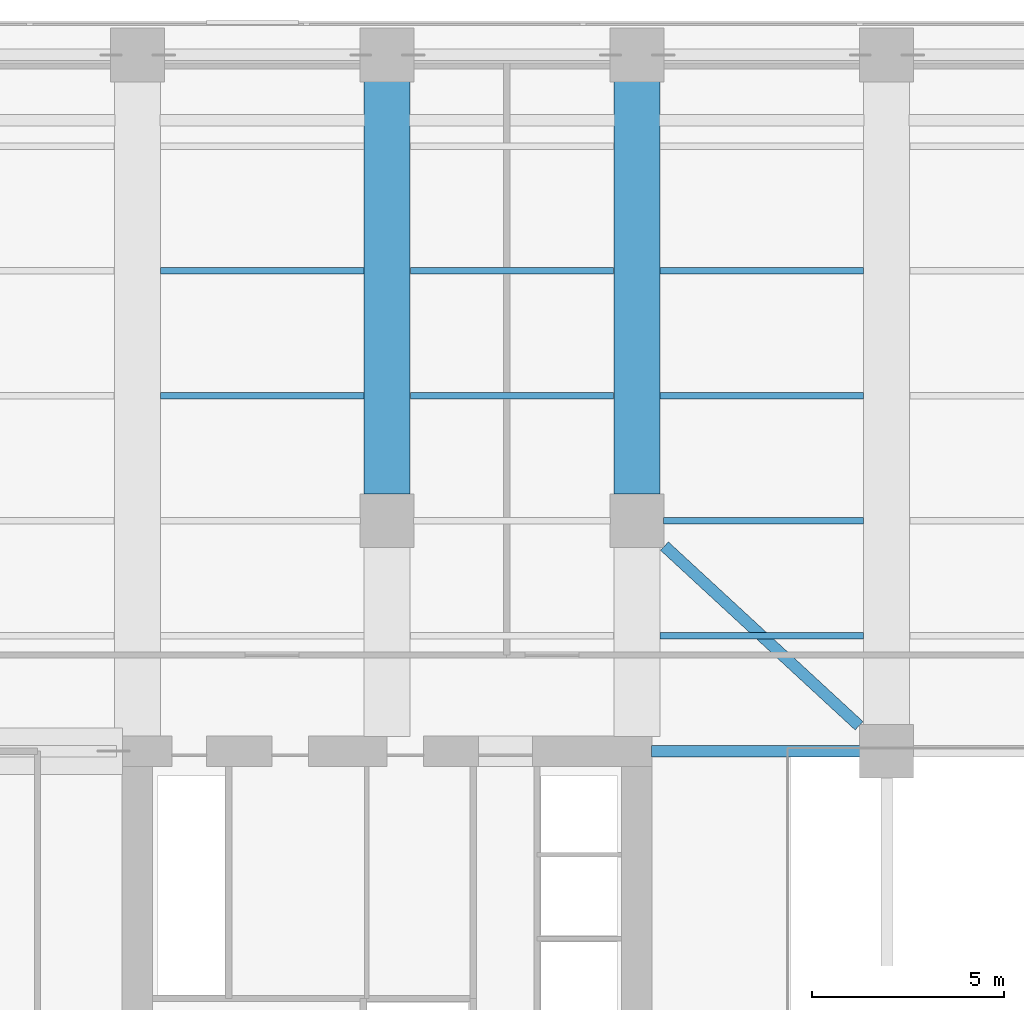
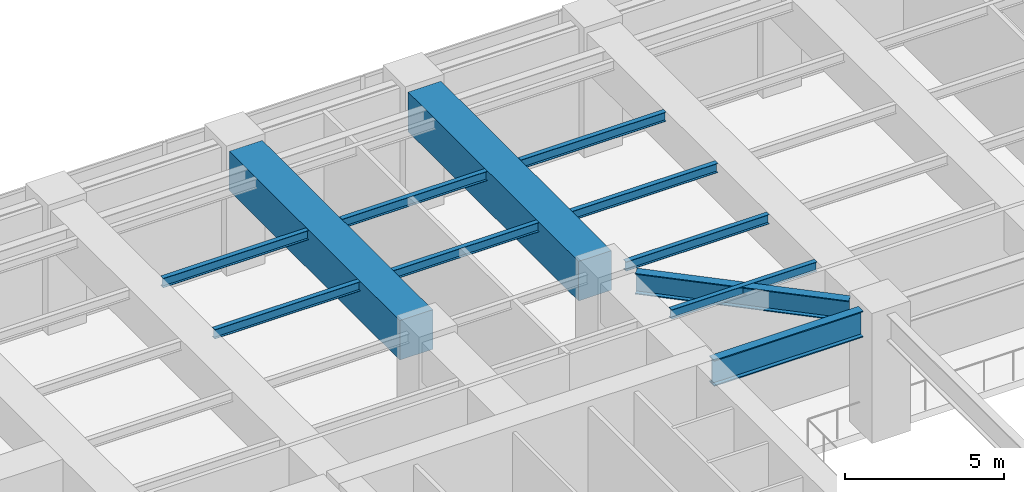
# One storey, part 9 of 31: 12 beams.
"""IFC4 building model written with IfcOpenShell, lengths in metres."""

import ifcopenshell
import ifcopenshell.guid

model = None  # the IFC model being written
_history = None  # IfcOwnerHistory: only IFC2X3 demands one
_inside = {}  # id of a spatial element -> (the spatial element, [elements in it])
_under = {}  # id of a project, library or spatial element -> (it, [spatial elements below it])
_declared = {}  # id of a project -> (the project, [libraries it declares])
_typed = {}  # id of a type object -> (the type object, [elements of that type])
_made_of = {}  # id of a material, layer set ... -> (it, [elements and type objects made of it])


def new_model(schema):
    """Start an empty IFC model of exactly this schema.

    Asked for "IFC4X3", IfcOpenShell would pick the latest addendum, in which some entities
    have other attributes; the version numbers below select the first issue.
    IFC2X3 requires an IfcOwnerHistory on every rooted entity: one is made here for all.
    """
    global model, _history
    if schema == "IFC4X3":
        model = ifcopenshell.file(schema_version=(4, 3, 0, 0))
    else:
        model = ifcopenshell.file(schema=schema)
    _inside.clear()
    _under.clear()
    _declared.clear()
    _typed.clear()
    _made_of.clear()
    _history = None
    if model.schema == "IFC2X3":
        org = make("IfcOrganization", Name="unknown")
        user = make(
            "IfcPersonAndOrganization",
            ThePerson=make("IfcPerson", FamilyName="unknown"),
            TheOrganization=org,
        )
        app = make(
            "IfcApplication",
            ApplicationDeveloper=org,
            Version="unknown",
            ApplicationFullName="unknown",
            ApplicationIdentifier="unknown",
        )
        _history = make(
            "IfcOwnerHistory",
            OwningUser=user,
            OwningApplication=app,
            ChangeAction="ADDED",
            CreationDate=0,
        )
    return model


def make(cls, **values):
    """One entity of the class cls with the attributes given. An attribute that is None is left unset."""
    return model.create_entity(
        cls, **{name: value for name, value in values.items() if value is not None}
    )


def rooted(cls, **values):
    """An entity with a GlobalId (a new one), such as an element, a storey or a relation."""
    return make(cls, GlobalId=ifcopenshell.guid.new(), OwnerHistory=_history, **values)


def si_unit(unit_type, name, prefix=None):
    """IfcSIUnit, for example si_unit("LENGTHUNIT", "METRE", prefix="MILLI")."""
    return make("IfcSIUnit", UnitType=unit_type, Prefix=prefix, Name=name)


def assignment(units):
    """IfcUnitAssignment: the units of a project."""
    return None if units is None else make("IfcUnitAssignment", Units=units)


def point(xyz):
    """IfcCartesianPoint."""
    return None if xyz is None else make("IfcCartesianPoint", Coordinates=xyz)


def direction(xyz):
    """IfcDirection."""
    return None if xyz is None else make("IfcDirection", DirectionRatios=xyz)


def frame(location, z_axis=None, x_axis=None):
    """IfcAxis2Placement3D, a coordinate frame: its origin and axes. An axis left out is left unset."""
    return make(
        "IfcAxis2Placement3D",
        Location=point(location),
        Axis=direction(z_axis),
        RefDirection=direction(x_axis),
    )


def frame_2d(location, x_axis=None):
    """IfcAxis2Placement2D, a coordinate frame in the plane: its origin and x axis."""
    return make(
        "IfcAxis2Placement2D", Location=point(location), RefDirection=direction(x_axis)
    )


def origin():
    """The frame at (0, 0, 0) with its axes left unset."""
    return frame((0.0, 0.0, 0.0))


def origin_2d():
    """The frame at (0, 0) in the plane with its x axis left unset."""
    return frame_2d((0.0, 0.0))


def place(relative_to, where):
    """IfcLocalPlacement: puts the frame where relative to a parent placement (None: the world)."""
    return make(
        "IfcLocalPlacement", PlacementRelTo=relative_to, RelativePlacement=where
    )


def context(
    kind, dimensions, precision=None, world=None, true_north=None, identifier=None
):
    """IfcGeometricRepresentationContext, for example the 3D "Model" context."""
    return make(
        "IfcGeometricRepresentationContext",
        ContextIdentifier=identifier,
        ContextType=kind,
        CoordinateSpaceDimension=dimensions,
        Precision=precision,
        WorldCoordinateSystem=world,
        TrueNorth=true_north,
    )


def subcontext(parent, identifier, kind, view, scale=None):
    """IfcGeometricRepresentationSubContext, for example "Body" below "Model"."""
    return make(
        "IfcGeometricRepresentationSubContext",
        ContextIdentifier=identifier,
        ContextType=kind,
        ParentContext=parent,
        TargetScale=scale,
        TargetView=view,
    )


def project(units=None, contexts=None):
    """IfcProject with its units and contexts."""
    return rooted(
        "IfcProject",
        Name="project",
        RepresentationContexts=contexts,
        UnitsInContext=assignment(units),
    )


def spatial(cls, under=None, at=None, **own):
    """A site, building, storey or space (cls), placed at a placement, below another one or the project."""
    s = rooted(cls, ObjectPlacement=at, **own)
    if under is not None:
        _under.setdefault(under.id(), (under, []))[1].append(s)
    return s


def profile(cls, at=None, kind="AREA", **sizes):
    """A parametric profile (cls). Its sizes go by their IFC names, for example OverallWidth=200.0."""
    return make(cls, ProfileType=kind, Position=at, **sizes)


def rectangle(**sizes):
    """IfcRectangleProfileDef."""
    return profile("IfcRectangleProfileDef", **sizes)


def i_section(**sizes):
    """IfcIShapeProfileDef."""
    return profile("IfcIShapeProfileDef", **sizes)


def extrude(swept, where, along, depth):
    """IfcExtrudedAreaSolid: the profile swept, set in the frame where, extruded along a direction by depth."""
    return make(
        "IfcExtrudedAreaSolid",
        SweptArea=swept,
        Position=where,
        ExtrudedDirection=direction(along),
        Depth=depth,
    )


def shape(context_of_items, identifier, shape_type, items):
    """IfcShapeRepresentation: the items that make up one representation, for example the "Body"."""
    return make(
        "IfcShapeRepresentation",
        ContextOfItems=context_of_items,
        RepresentationIdentifier=identifier,
        RepresentationType=shape_type,
        Items=items,
    )


def material(Name=None, Category=None):
    """IfcMaterial."""
    return make("IfcMaterial", Name=Name, Category=Category)


def material_profile(
    of_material, cross_section, Name=None, Category=None, Priority=None
):
    """IfcMaterialProfile: a cross section and its material."""
    return make(
        "IfcMaterialProfile",
        Name=Name,
        Material=of_material,
        Profile=cross_section,
        Priority=Priority,
        Category=Category,
    )


def profile_set(profiles, Name=None, composite=None):
    """IfcMaterialProfileSet."""
    return make(
        "IfcMaterialProfileSet",
        Name=Name,
        MaterialProfiles=profiles,
        CompositeProfile=composite,
    )


def made_of(thing, what):
    """Note that an element or type object is made of a material, layer set ...; save() writes the relation."""
    if what is not None:
        _made_of.setdefault(what.id(), (what, []))[1].append(thing)
    return thing


def type_object(cls, material=None, **own):
    """A type object (cls), such as IfcWallType, which elements share."""
    return made_of(rooted(cls, **own), material)


def element(
    cls,
    number,
    at=None,
    inside=None,
    cuts=None,
    type_object=None,
    material=None,
    context=None,
    identifier="Body",
    shape_type=None,
    held_by="IfcProductDefinitionShape",
    body=None,
    shapes=None,
    **own,
):
    """One element of the class cls, such as IfcWall. Its Tag is "e" and its number.

    at: its placement. inside: the storey or other place that contains it. cuts: it is an
    opening in that element (IfcRelVoidsElement). A single representation is given by context,
    identifier, shape_type and body (its items); several are given by shapes. held_by: the class
    of the entity that holds the representations. save() writes the other relations.
    """
    e = rooted(cls, Tag="e%d" % number, ObjectPlacement=at, **own)
    if body is not None:
        shapes = [shape(context, identifier, shape_type, body)]
    if shapes is not None:
        e.Representation = make(held_by, Representations=shapes)
    if inside is not None:
        _inside.setdefault(inside.id(), (inside, []))[1].append(e)
    if cuts is not None:
        rooted(
            "IfcRelVoidsElement", RelatingBuildingElement=cuts, RelatedOpeningElement=e
        )
    if type_object is not None:
        _typed.setdefault(type_object.id(), (type_object, []))[1].append(e)
    return made_of(e, material)


def aggregate(whole, parts):
    """IfcRelAggregates: a whole, such as a stair, and the parts it consists of."""
    return rooted("IfcRelAggregates", RelatingObject=whole, RelatedObjects=parts)


def save(model, path):
    """Write the relations noted so far, then the file.

    IfcRelAggregates (storeys below a building ...), IfcRelContainedInSpatialStructure (elements
    in a storey), IfcRelDefinesByType, IfcRelAssociatesMaterial and IfcRelDeclares: one each for
    every whole, place, type object, material and project.
    """
    for whole, parts in _under.values():
        aggregate(whole, parts)
    for where, things in _inside.values():
        rooted(
            "IfcRelContainedInSpatialStructure",
            RelatedElements=things,
            RelatingStructure=where,
        )
    for kind, things in _typed.values():
        rooted("IfcRelDefinesByType", RelatedObjects=things, RelatingType=kind)
    for what, things in _made_of.values():
        rooted("IfcRelAssociatesMaterial", RelatedObjects=things, RelatingMaterial=what)
    for by, libraries in _declared.values():
        rooted("IfcRelDeclares", RelatingContext=by, RelatedDefinitions=libraries)
    model.write(path)


model = new_model("IFC4")

# Units and contexts
model_context = context("Model", 3, precision=1e-05, world=origin(), true_north=direction((0.0, 1.0)))
body_context = subcontext(model_context, "Body", "Model", "MODEL_VIEW")
ifc_project = project(units=[si_unit("LENGTHUNIT", "METRE"), si_unit("AREAUNIT", "SQUARE_METRE"), si_unit("VOLUMEUNIT", "CUBIC_METRE"), si_unit("PLANEANGLEUNIT", "RADIAN"), si_unit("MASSUNIT", "GRAM", prefix="KILO")], contexts=[model_context])

# Site, building, storey
site_placement = place(None, origin())
site = spatial("IfcSite", under=ifc_project, at=site_placement, CompositionType="ELEMENT")
building_placement = place(site_placement, origin())
building = spatial("IfcBuilding", under=site, at=building_placement, Name="Putna Gate Headquarters", CompositionType="ELEMENT")
storey_placement = place(building_placement, frame((0.0, 0.0, 81.0)))
storey = spatial("IfcBuildingStorey", under=building, at=storey_placement, Name="L19", CompositionType="ELEMENT", Elevation=81.0)

# Beams
ifc_material_1 = material(Name="Steel S355J2", Category="steel")
ifc_material_profile_1 = material_profile(ifc_material_1, i_section(OverallWidth=0.300048828125, OverallDepth=0.800048828125, WebThickness=0.017578125, FlangeThickness=0.032958984375, at=origin_2d()), Name="Steel S355J2")
ifc_profile_set_1 = profile_set([ifc_material_profile_1], Name="Steel S355J2")
beam_type_1 = type_object("IfcBeamType", Name="BM-GIRD-P-HEB800", PredefinedType="USERDEFINED", material=ifc_profile_set_1)
beam_1_placement = place(storey_placement, frame((26.718017578125, 38.337158203125, 4.364990234375), z_axis=(0.734811593747, -0.678271274414, 0.0), x_axis=(0.678271274414, 0.734811593747, 0.0)))
element("IfcBeam", 1, at=beam_1_placement, inside=storey, type_object=beam_type_1, Name="L19 Core Flank Collector Tie Girder NW", ObjectType="GIRDER", PredefinedType="USERDEFINED", context=body_context, shape_type="SweptSolid", body=[
    extrude(i_section(OverallWidth=0.300048828125, OverallDepth=0.800048828125, WebThickness=0.017578125, FlangeThickness=0.032958984375, at=origin_2d()), origin(), (0.0, 0.0, 1.0), 6.8916015625),
])
ifc_material_profile_2 = material_profile(ifc_material_1, i_section(OverallWidth=0.169921875, OverallDepth=0.360107421875, WebThickness=0.008056640625, FlangeThickness=0.0126953125, at=origin_2d()), Name="Steel S355J2")
ifc_profile_set_2 = profile_set([ifc_material_profile_2], Name="Steel S355J2")
beam_type_2 = type_object("IfcBeamType", Name="BM-SEC-Z2-IPE360", PredefinedType="BEAM", material=ifc_profile_set_2)
for number, where, z_axis, x_axis, name in (
    (2, (13.60400390625, 42.25, 4.5849609375), (1.0, 0.0, 0.0), (0.0, 1.0, 0.0), "L19 North Secondary Beam 2"),
    (3, (13.60400390625, 45.5, 4.5849609375), (1.0, 0.0, 0.0), (0.0, 1.0, 0.0), "L19 North Secondary Beam 2"),
    (4, (20.10400390625, 42.25, 4.5849609375), (1.0, 0.0, 0.0), (0.0, 1.0, 0.0), "L19 North Secondary Beam 3"),
    (5, (20.10400390625, 45.5, 4.5849609375), (1.0, 0.0, 0.0), (0.0, 1.0, 0.0), "L19 North Secondary Beam 3"),
    (6, (26.60400390625, 36.0, 4.5849609375), (1.0, 0.0, 0.0), (0.0, 1.0, 0.0), "L19 North Secondary Beam 4"),
):
    element("IfcBeam", number, at=place(storey_placement, frame(where, z_axis=z_axis, x_axis=x_axis)), inside=storey, type_object=beam_type_2, Name=name, PredefinedType="BEAM", context=body_context, shape_type="SweptSolid", body=[
        extrude(i_section(OverallWidth=0.169921875, OverallDepth=0.360107421875, WebThickness=0.008056640625, FlangeThickness=0.0126953125, at=origin_2d()), origin(), (0.0, 0.0, 1.0), 5.2919921875),
    ])
beam_2_placement = place(storey_placement, frame((26.68798828125, 39.0, 4.5849609375), z_axis=(1.0, 0.0, 0.0), x_axis=(0.0, 1.0, 0.0)))
element("IfcBeam", 7, at=beam_2_placement, inside=storey, type_object=beam_type_2, Name="L19 North Secondary Beam 4", PredefinedType="BEAM", context=body_context, shape_type="SweptSolid", body=[
    extrude(i_section(OverallWidth=0.169921875, OverallDepth=0.360107421875, WebThickness=0.008056640625, FlangeThickness=0.0126953125, at=origin_2d()), origin(), (0.0, 0.0, 1.0), 5.2080078125),
])
for number, where, z_axis, x_axis, name in (
    (8, (26.60400390625, 42.25, 4.5849609375), (1.0, 0.0, 0.0), (0.0, 1.0, 0.0), "L19 North Secondary Beam 4"),
    (9, (26.60400390625, 45.5, 4.5849609375), (1.0, 0.0, 0.0), (0.0, 1.0, 0.0), "L19 North Secondary Beam 4"),
):
    element("IfcBeam", number, at=place(storey_placement, frame(where, z_axis=z_axis, x_axis=x_axis)), inside=storey, type_object=beam_type_2, Name=name, PredefinedType="BEAM", context=body_context, shape_type="SweptSolid", body=[
        extrude(i_section(OverallWidth=0.169921875, OverallDepth=0.360107421875, WebThickness=0.008056640625, FlangeThickness=0.0126953125, at=origin_2d()), origin(), (0.0, 0.0, 1.0), 5.2919921875),
    ])
ifc_material_2 = material(Name="Steel S460M", Category="steel")
ifc_material_profile_3 = material_profile(ifc_material_2, i_section(OverallWidth=0.302001953125, OverallDepth=1.008056640625, WebThickness=0.02099609375, FlangeThickness=0.0400390625, at=origin_2d()), Name="Steel S460M")
ifc_profile_set_3 = profile_set([ifc_material_profile_3], Name="Steel S460M")
beam_type_3 = type_object("IfcBeamType", Name="BM-TG-HEM1000", PredefinedType="USERDEFINED", material=ifc_profile_set_3)
beam_3_placement = place(storey_placement, frame((26.385009765625, 33.0, 4.260986328125), z_axis=(1.0, 0.0, 0.0), x_axis=(0.0, 1.0, 0.0)))
element("IfcBeam", 10, at=beam_3_placement, inside=storey, type_object=beam_type_3, Name="L19 Atrium Edge Beam AN1", ObjectType="GIRDER", PredefinedType="USERDEFINED", context=body_context, shape_type="SweptSolid", body=[
    extrude(i_section(OverallWidth=0.302001953125, OverallDepth=1.008056640625, WebThickness=0.02099609375, FlangeThickness=0.0400390625, at=origin_2d()), origin(), (0.0, 0.0, 1.0), 5.427001953125),
])
ifc_material_3 = material(Name="Concrete C50/60", Category="concrete")
ifc_material_profile_4 = material_profile(ifc_material_3, rectangle(XDim=1.199951171875, YDim=1.52001953125, at=origin_2d()), Name="Concrete C50/60")
ifc_profile_set_4 = profile_set([ifc_material_profile_4], Name="Concrete C50/60")
beam_type_4 = type_object("IfcBeamType", Name="BM-TG-RC1520", PredefinedType="USERDEFINED", material=ifc_profile_set_4)
for number, where, z_axis, x_axis, name in (
    (11, (19.5, 39.68798828125, 4.0048828125), (0.0, 1.0, 0.0), (-1.0, 0.0, 0.0), "L19 North Primary Girder X19-2"),
    (12, (26.0, 39.68798828125, 4.0048828125), (0.0, 1.0, 0.0), (-1.0, 0.0, 0.0), "L19 North Primary Girder X26-2"),
):
    element("IfcBeam", number, at=place(storey_placement, frame(where, z_axis=z_axis, x_axis=x_axis)), inside=storey, type_object=beam_type_4, Name=name, ObjectType="GIRDER", PredefinedType="USERDEFINED", context=body_context, shape_type="SweptSolid", body=[
        extrude(rectangle(XDim=1.199951171875, YDim=1.52001953125, at=origin_2d()), origin(), (0.0, 0.0, 1.0), 10.743896484375),
    ])

save(model, "model.ifc")
